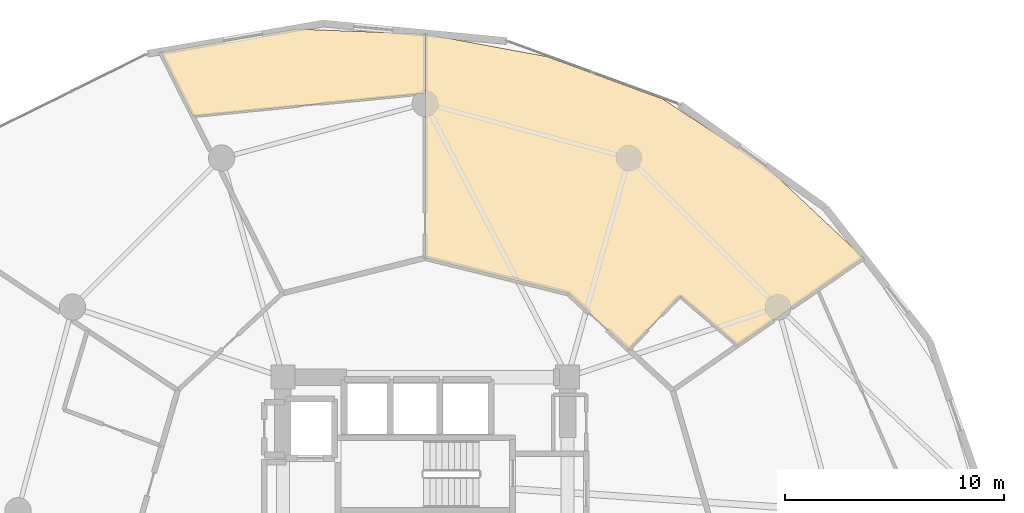
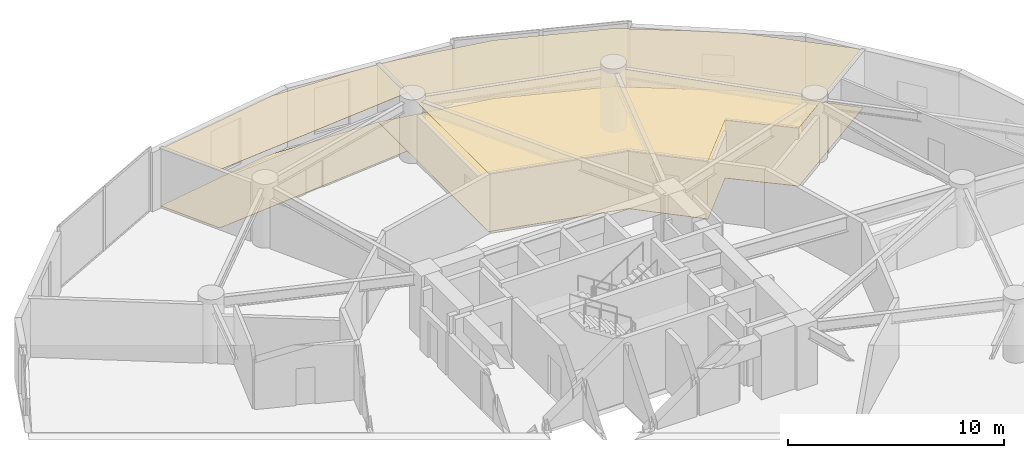
# One storey, part 22 of 22: 4 coverings.
"""IFC4 building model written with IfcOpenShell, lengths in metres."""

from ifc_helpers import new_model, si_unit, direction, frame, origin, place, context, subcontext, project, spatial, polyline, outline, extrude, material, layer, layer_set, type_object, element, save


model = new_model("IFC4")

# Units and contexts
model_context = context("Model", 3, precision=1e-05, world=origin(), true_north=direction((0.0, 1.0)))
body_context = subcontext(model_context, "Body", "Model", "MODEL_VIEW")
ifc_project = project(units=[si_unit("LENGTHUNIT", "METRE"), si_unit("AREAUNIT", "SQUARE_METRE"), si_unit("VOLUMEUNIT", "CUBIC_METRE"), si_unit("PLANEANGLEUNIT", "RADIAN"), si_unit("MASSUNIT", "GRAM", prefix="KILO")], contexts=[model_context])

# Site, building, storey
site_placement = place(None, origin())
site = spatial("IfcSite", under=ifc_project, at=site_placement, CompositionType="ELEMENT")
building_placement = place(site_placement, origin())
building = spatial("IfcBuilding", under=site, at=building_placement, Name="Solvirekh Grand Hotel", CompositionType="ELEMENT")
storey_placement = place(building_placement, frame((0.0, 0.0, 53.60009765625)))
storey = spatial("IfcBuildingStorey", under=building, at=storey_placement, Name="L12", CompositionType="ELEMENT", Elevation=53.60009765625)

# Coverings
ifc_material_1 = material(Name="Acoustic Mineral Ceiling Tile")
ifc_layer_1 = layer(ifc_material_1, 0.02490234375)
ifc_layer_set_1 = layer_set([ifc_layer_1], Name="Acoustic Mineral Ceiling Tile")
covering_type_1 = type_object("IfcCoveringType", Name="Cov_Ceiling_Acoustic", PredefinedType="CEILING", material=ifc_layer_set_1)
covering_1_placement = place(storey_placement, frame((0.0, 0.0, 3.289794921875)))
element("IfcCovering", 1, at=covering_1_placement, inside=storey, type_object=covering_type_1, Name="L12 Diplomatic Suite 1403 Living Room acoustic ceiling", PredefinedType="CEILING", context=body_context, shape_type="SweptSolid", body=[
    extrude(outline(polyline([(11.6298828125, 9.820068359375), (14.261962890625, 7.55810546875), (20.008056640625, 11.552001953125), (15.64990234375, 15.64990234375), (10.85205078125, 18.7958984375), (5.556884765625, 20.738037109375), (0.0, 21.76806640625), (0.0, 11.550048828125), (6.52490234375, 9.928955078125), (9.2958984375, 7.360107421875), (11.6298828125, 9.820068359375)])), origin(), (0.0, 0.0, 1.0), 0.01806640625),
])
covering_2_placement = place(storey_placement, frame((0.0, 0.0, 3.289794921875)))
element("IfcCovering", 2, at=covering_2_placement, inside=storey, type_object=covering_type_1, Name="L12 Diplomatic Suite 1403 Master Bedroom acoustic ceiling", PredefinedType="CEILING", context=body_context, shape_type="SweptSolid", body=[
    extrude(outline(polyline([(0.0, 21.76806640625), (-5.89404296875, 21.998046875), (-12.087890625, 20.93603515625), (-10.614013671875, 18.01904296875), (0.0, 19.06005859375), (0.0, 21.76806640625)])), origin(), (0.0, 0.0, 1.0), 0.01806640625),
])
ifc_material_2 = material(Name="Porcelain Stoneware Flooring", Category="masonry")
ifc_layer_2 = layer(ifc_material_2, 0.030029296875)
ifc_layer_set_2 = layer_set([ifc_layer_2], Name="Porcelain Stoneware Flooring")
covering_type_2 = type_object("IfcCoveringType", Name="Cov_Floor_Stone", PredefinedType="FLOORING", material=ifc_layer_set_2)
covering_3_placement = place(storey_placement, origin())
element("IfcCovering", 3, at=covering_3_placement, inside=storey, type_object=covering_type_2, Name="L12 Diplomatic Suite 1403 Living Room polished granite flooring", PredefinedType="FLOORING", context=body_context, shape_type="SweptSolid", body=[
    extrude(outline(polyline([(11.6298828125, 9.820068359375), (14.261962890625, 7.55810546875), (20.008056640625, 11.552001953125), (15.64990234375, 15.64990234375), (10.85205078125, 18.7958984375), (5.556884765625, 20.738037109375), (0.0, 21.76806640625), (0.0, 11.550048828125), (6.52490234375, 9.928955078125), (9.2958984375, 7.360107421875), (11.6298828125, 9.820068359375)])), origin(), (0.0, 0.0, 1.0), 0.02001953125),
])
covering_4_placement = place(storey_placement, origin())
element("IfcCovering", 4, at=covering_4_placement, inside=storey, type_object=covering_type_2, Name="L12 Diplomatic Suite 1403 Master Bedroom polished granite flooring", PredefinedType="FLOORING", context=body_context, shape_type="SweptSolid", body=[
    extrude(outline(polyline([(0.0, 21.76806640625), (-5.89404296875, 21.998046875), (-12.087890625, 20.93603515625), (-10.614013671875, 18.01904296875), (0.0, 19.06005859375), (0.0, 21.76806640625)])), origin(), (0.0, 0.0, 1.0), 0.02001953125),
])

save(model, "model.ifc")
